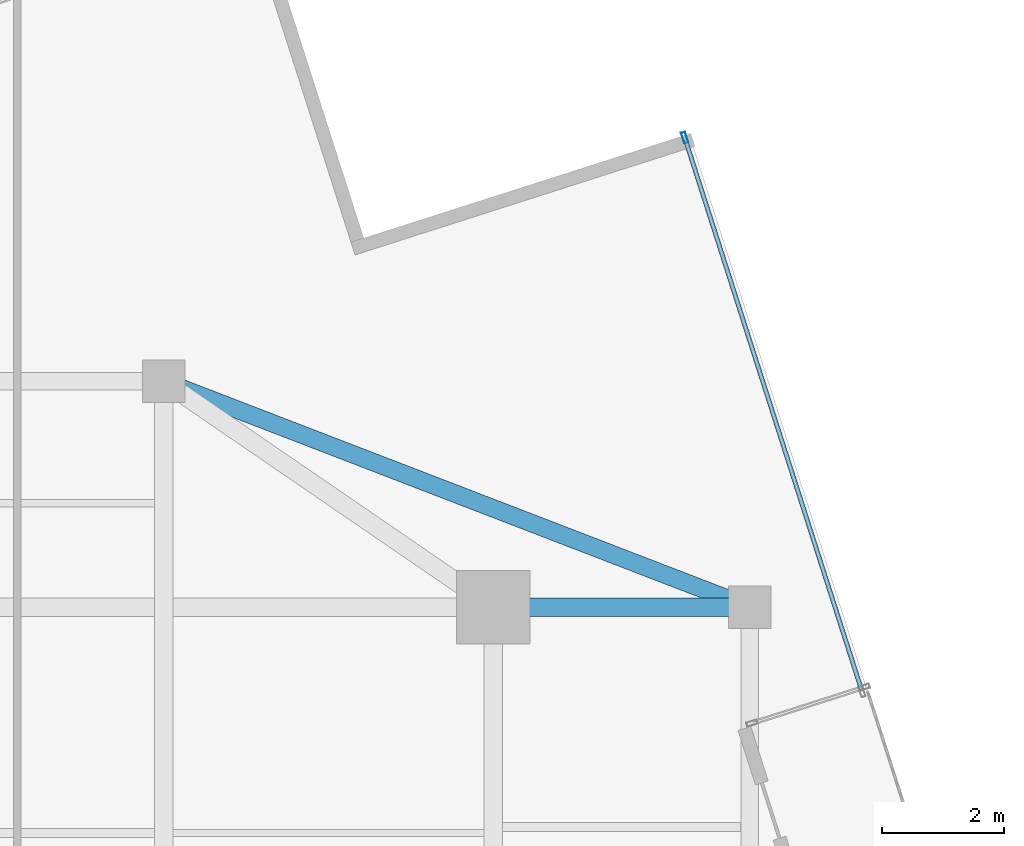
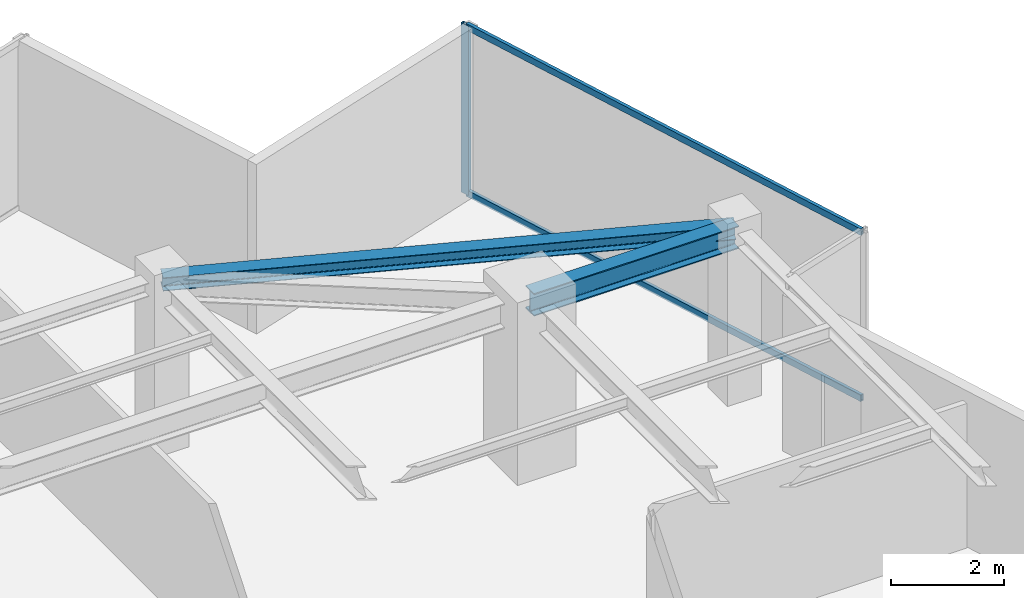
# One storey, part 16 of 21: 3 members, 2 beams, 1 element without a shape of its own.
"""IFC4 building model written with IfcOpenShell, lengths in metres."""

import ifcopenshell
import ifcopenshell.guid

model = None  # the IFC model being written
_history = None  # IfcOwnerHistory: only IFC2X3 demands one
_inside = {}  # id of a spatial element -> (the spatial element, [elements in it])
_under = {}  # id of a project, library or spatial element -> (it, [spatial elements below it])
_declared = {}  # id of a project -> (the project, [libraries it declares])
_typed = {}  # id of a type object -> (the type object, [elements of that type])
_made_of = {}  # id of a material, layer set ... -> (it, [elements and type objects made of it])


def new_model(schema):
    """Start an empty IFC model of exactly this schema.

    Asked for "IFC4X3", IfcOpenShell would pick the latest addendum, in which some entities
    have other attributes; the version numbers below select the first issue.
    IFC2X3 requires an IfcOwnerHistory on every rooted entity: one is made here for all.
    """
    global model, _history
    if schema == "IFC4X3":
        model = ifcopenshell.file(schema_version=(4, 3, 0, 0))
    else:
        model = ifcopenshell.file(schema=schema)
    _inside.clear()
    _under.clear()
    _declared.clear()
    _typed.clear()
    _made_of.clear()
    _history = None
    if model.schema == "IFC2X3":
        org = make("IfcOrganization", Name="unknown")
        user = make(
            "IfcPersonAndOrganization",
            ThePerson=make("IfcPerson", FamilyName="unknown"),
            TheOrganization=org,
        )
        app = make(
            "IfcApplication",
            ApplicationDeveloper=org,
            Version="unknown",
            ApplicationFullName="unknown",
            ApplicationIdentifier="unknown",
        )
        _history = make(
            "IfcOwnerHistory",
            OwningUser=user,
            OwningApplication=app,
            ChangeAction="ADDED",
            CreationDate=0,
        )
    return model


def make(cls, **values):
    """One entity of the class cls with the attributes given. An attribute that is None is left unset."""
    return model.create_entity(
        cls, **{name: value for name, value in values.items() if value is not None}
    )


def rooted(cls, **values):
    """An entity with a GlobalId (a new one), such as an element, a storey or a relation."""
    return make(cls, GlobalId=ifcopenshell.guid.new(), OwnerHistory=_history, **values)


def si_unit(unit_type, name, prefix=None):
    """IfcSIUnit, for example si_unit("LENGTHUNIT", "METRE", prefix="MILLI")."""
    return make("IfcSIUnit", UnitType=unit_type, Prefix=prefix, Name=name)


def assignment(units):
    """IfcUnitAssignment: the units of a project."""
    return None if units is None else make("IfcUnitAssignment", Units=units)


def point(xyz):
    """IfcCartesianPoint."""
    return None if xyz is None else make("IfcCartesianPoint", Coordinates=xyz)


def direction(xyz):
    """IfcDirection."""
    return None if xyz is None else make("IfcDirection", DirectionRatios=xyz)


def frame(location, z_axis=None, x_axis=None):
    """IfcAxis2Placement3D, a coordinate frame: its origin and axes. An axis left out is left unset."""
    return make(
        "IfcAxis2Placement3D",
        Location=point(location),
        Axis=direction(z_axis),
        RefDirection=direction(x_axis),
    )


def frame_2d(location, x_axis=None):
    """IfcAxis2Placement2D, a coordinate frame in the plane: its origin and x axis."""
    return make(
        "IfcAxis2Placement2D", Location=point(location), RefDirection=direction(x_axis)
    )


def origin():
    """The frame at (0, 0, 0) with its axes left unset."""
    return frame((0.0, 0.0, 0.0))


def origin_2d():
    """The frame at (0, 0) in the plane with its x axis left unset."""
    return frame_2d((0.0, 0.0))


def place(relative_to, where):
    """IfcLocalPlacement: puts the frame where relative to a parent placement (None: the world)."""
    return make(
        "IfcLocalPlacement", PlacementRelTo=relative_to, RelativePlacement=where
    )


def context(
    kind, dimensions, precision=None, world=None, true_north=None, identifier=None
):
    """IfcGeometricRepresentationContext, for example the 3D "Model" context."""
    return make(
        "IfcGeometricRepresentationContext",
        ContextIdentifier=identifier,
        ContextType=kind,
        CoordinateSpaceDimension=dimensions,
        Precision=precision,
        WorldCoordinateSystem=world,
        TrueNorth=true_north,
    )


def subcontext(parent, identifier, kind, view, scale=None):
    """IfcGeometricRepresentationSubContext, for example "Body" below "Model"."""
    return make(
        "IfcGeometricRepresentationSubContext",
        ContextIdentifier=identifier,
        ContextType=kind,
        ParentContext=parent,
        TargetScale=scale,
        TargetView=view,
    )


def project(units=None, contexts=None):
    """IfcProject with its units and contexts."""
    return rooted(
        "IfcProject",
        Name="project",
        RepresentationContexts=contexts,
        UnitsInContext=assignment(units),
    )


def spatial(cls, under=None, at=None, **own):
    """A site, building, storey or space (cls), placed at a placement, below another one or the project."""
    s = rooted(cls, ObjectPlacement=at, **own)
    if under is not None:
        _under.setdefault(under.id(), (under, []))[1].append(s)
    return s


def profile(cls, at=None, kind="AREA", **sizes):
    """A parametric profile (cls). Its sizes go by their IFC names, for example OverallWidth=200.0."""
    return make(cls, ProfileType=kind, Position=at, **sizes)


def hollow_rectangle(**sizes):
    """IfcRectangleHollowProfileDef."""
    return profile("IfcRectangleHollowProfileDef", **sizes)


def i_section(**sizes):
    """IfcIShapeProfileDef."""
    return profile("IfcIShapeProfileDef", **sizes)


def extrude(swept, where, along, depth):
    """IfcExtrudedAreaSolid: the profile swept, set in the frame where, extruded along a direction by depth."""
    return make(
        "IfcExtrudedAreaSolid",
        SweptArea=swept,
        Position=where,
        ExtrudedDirection=direction(along),
        Depth=depth,
    )


def shape(context_of_items, identifier, shape_type, items):
    """IfcShapeRepresentation: the items that make up one representation, for example the "Body"."""
    return make(
        "IfcShapeRepresentation",
        ContextOfItems=context_of_items,
        RepresentationIdentifier=identifier,
        RepresentationType=shape_type,
        Items=items,
    )


def source(mapping_origin, context_of_items, identifier, shape_type, items):
    """IfcRepresentationMap: a shape defined once, which mapped items show again and again."""
    return make(
        "IfcRepresentationMap",
        MappingOrigin=mapping_origin,
        MappedRepresentation=shape(context_of_items, identifier, shape_type, items),
    )


def transform(
    local_origin,
    x_axis=None,
    y_axis=None,
    z_axis=None,
    scale=None,
    scale2=None,
    scale3=None,
    uniform=True,
):
    """IfcCartesianTransformationOperator3D, or its non-uniform kind. x_axis, y_axis, z_axis: its Axis1, 2, 3."""
    if uniform:
        return make(
            "IfcCartesianTransformationOperator3D",
            Axis1=direction(x_axis),
            Axis2=direction(y_axis),
            LocalOrigin=point(local_origin),
            Scale=scale,
            Axis3=direction(z_axis),
        )
    return make(
        "IfcCartesianTransformationOperator3DnonUniform",
        Axis1=direction(x_axis),
        Axis2=direction(y_axis),
        LocalOrigin=point(local_origin),
        Scale=scale,
        Axis3=direction(z_axis),
        Scale2=scale2,
        Scale3=scale3,
    )


def mapped(mapping_source, mapping_target):
    """IfcMappedItem: shows the shape of a source again, moved by a transform."""
    return make(
        "IfcMappedItem", MappingSource=mapping_source, MappingTarget=mapping_target
    )


def material(Name=None, Category=None):
    """IfcMaterial."""
    return make("IfcMaterial", Name=Name, Category=Category)


def material_profile(
    of_material, cross_section, Name=None, Category=None, Priority=None
):
    """IfcMaterialProfile: a cross section and its material."""
    return make(
        "IfcMaterialProfile",
        Name=Name,
        Material=of_material,
        Profile=cross_section,
        Priority=Priority,
        Category=Category,
    )


def profile_set(profiles, Name=None, composite=None):
    """IfcMaterialProfileSet."""
    return make(
        "IfcMaterialProfileSet",
        Name=Name,
        MaterialProfiles=profiles,
        CompositeProfile=composite,
    )


def made_of(thing, what):
    """Note that an element or type object is made of a material, layer set ...; save() writes the relation."""
    if what is not None:
        _made_of.setdefault(what.id(), (what, []))[1].append(thing)
    return thing


def type_object(cls, material=None, **own):
    """A type object (cls), such as IfcWallType, which elements share."""
    return made_of(rooted(cls, **own), material)


def type_shapes(of_type, sources):
    """Give a type object the sources (RepresentationMaps) that its elements show as mapped items."""
    of_type.RepresentationMaps = sources


def element(
    cls,
    number,
    at=None,
    inside=None,
    cuts=None,
    type_object=None,
    material=None,
    context=None,
    identifier="Body",
    shape_type=None,
    held_by="IfcProductDefinitionShape",
    body=None,
    shapes=None,
    **own,
):
    """One element of the class cls, such as IfcWall. Its Tag is "e" and its number.

    at: its placement. inside: the storey or other place that contains it. cuts: it is an
    opening in that element (IfcRelVoidsElement). A single representation is given by context,
    identifier, shape_type and body (its items); several are given by shapes. held_by: the class
    of the entity that holds the representations. save() writes the other relations.
    """
    e = rooted(cls, Tag="e%d" % number, ObjectPlacement=at, **own)
    if body is not None:
        shapes = [shape(context, identifier, shape_type, body)]
    if shapes is not None:
        e.Representation = make(held_by, Representations=shapes)
    if inside is not None:
        _inside.setdefault(inside.id(), (inside, []))[1].append(e)
    if cuts is not None:
        rooted(
            "IfcRelVoidsElement", RelatingBuildingElement=cuts, RelatedOpeningElement=e
        )
    if type_object is not None:
        _typed.setdefault(type_object.id(), (type_object, []))[1].append(e)
    return made_of(e, material)


def aggregate(whole, parts):
    """IfcRelAggregates: a whole, such as a stair, and the parts it consists of."""
    return rooted("IfcRelAggregates", RelatingObject=whole, RelatedObjects=parts)


def save(model, path):
    """Write the relations noted so far, then the file.

    IfcRelAggregates (storeys below a building ...), IfcRelContainedInSpatialStructure (elements
    in a storey), IfcRelDefinesByType, IfcRelAssociatesMaterial and IfcRelDeclares: one each for
    every whole, place, type object, material and project.
    """
    for whole, parts in _under.values():
        aggregate(whole, parts)
    for where, things in _inside.values():
        rooted(
            "IfcRelContainedInSpatialStructure",
            RelatedElements=things,
            RelatingStructure=where,
        )
    for kind, things in _typed.values():
        rooted("IfcRelDefinesByType", RelatedObjects=things, RelatingType=kind)
    for what, things in _made_of.values():
        rooted("IfcRelAssociatesMaterial", RelatedObjects=things, RelatingMaterial=what)
    for by, libraries in _declared.values():
        rooted("IfcRelDeclares", RelatingContext=by, RelatedDefinitions=libraries)
    model.write(path)


model = new_model("IFC4")

# Units and contexts
model_context = context("Model", 3, precision=1e-05, world=origin(), true_north=direction((0.0, 1.0)))
body_context = subcontext(model_context, "Body", "Model", "MODEL_VIEW")
ifc_project = project(units=[si_unit("LENGTHUNIT", "METRE"), si_unit("AREAUNIT", "SQUARE_METRE"), si_unit("VOLUMEUNIT", "CUBIC_METRE"), si_unit("PLANEANGLEUNIT", "RADIAN"), si_unit("MASSUNIT", "GRAM", prefix="KILO")], contexts=[model_context])

# Site, building, storey
site_placement = place(None, origin())
site = spatial("IfcSite", under=ifc_project, at=site_placement, CompositionType="ELEMENT")
building_placement = place(site_placement, origin())
building = spatial("IfcBuilding", under=site, at=building_placement, Name="Krantzveldt Concourse Tower", CompositionType="ELEMENT")
storey_placement = place(building_placement, frame((0.0, 0.0, 343.5)))
storey = spatial("IfcBuildingStorey", under=building, at=storey_placement, Name="L84", CompositionType="ELEMENT", Elevation=343.5)

# Beams
ifc_material_1 = material(Name="Steel S355JR", Category="steel")
ifc_material_profile_1 = material_profile(ifc_material_1, i_section(OverallWidth=0.300048828125, OverallDepth=0.489990234375, WebThickness=0.011962890625, FlangeThickness=0.02294921875, FilletRadius=0.027099609375, at=origin_2d()), Name="Steel S355JR", Category="steel")
ifc_profile_set_1 = profile_set([ifc_material_profile_1], Name="Steel S355JR - HEA 500")
beam_type_1 = type_object("IfcBeamType", Name="BM-B-HEA500", PredefinedType="BEAM", material=ifc_profile_set_1)
shared_shape_1 = source(origin(), body_context, "Body", "SweptSolid", [
    extrude(i_section(OverallWidth=0.300048828125, OverallDepth=0.489990234375, WebThickness=0.011962890625, FlangeThickness=0.02294921875, FilletRadius=0.027099609375, at=origin_2d()), origin(), (0.0, 0.0, 1.0), 4.199951171875),
])
type_shapes(beam_type_1, [shared_shape_1])
beam_1_placement = place(storey_placement, frame((46.800048828125, 37.5, 3.425048828125), z_axis=(1.0, 0.0, 0.0), x_axis=(0.0, 1.0, 0.0)))
element("IfcBeam", 1, at=beam_1_placement, inside=storey, type_object=beam_type_1, Name="L84 Tower Girder BR-RR3", PredefinedType="BEAM", context=body_context, shape_type="MappedRepresentation", body=[
    mapped(shared_shape_1, transform((0.0, 0.0, 0.0), x_axis=(1.0, 0.0, 0.0), y_axis=(0.0, 1.0, 0.0), z_axis=(0.0, 0.0, 1.0), scale=1.0)),
])
ifc_material_profile_2 = material_profile(ifc_material_1, i_section(OverallWidth=0.2900390625, OverallDepth=0.2900390625, WebThickness=0.008544921875, FlangeThickness=0.013916015625, FilletRadius=0.027099609375, at=origin_2d()), Name="Steel S355JR", Category="steel")
ifc_profile_set_2 = profile_set([ifc_material_profile_2], Name="Steel S355JR - HEA 300")
beam_type_2 = type_object("IfcBeamType", Name="BM-SP-HEA300", PredefinedType="SPANDREL", material=ifc_profile_set_2)
shared_shape_2 = source(origin(), body_context, "Body", "SweptSolid", [
    extrude(i_section(OverallWidth=0.2900390625, OverallDepth=0.2900390625, WebThickness=0.008544921875, FlangeThickness=0.013916015625, FilletRadius=0.027099609375, at=origin_2d()), origin(), (0.0, 0.0, 1.0), 10.288330078125),
])
type_shapes(beam_type_2, [shared_shape_2])
beam_2_placement = place(storey_placement, frame((41.39990234375, 41.199951171875, 3.52490234375), z_axis=(0.933097690408, -0.359622997257, 0.0), x_axis=(0.359622997257, 0.933097690408, 0.0)))
element("IfcBeam", 2, at=beam_2_placement, inside=storey, type_object=beam_type_2, Name="L84 Tower Girder SP-R05", PredefinedType="SPANDREL", context=body_context, shape_type="MappedRepresentation", body=[
    mapped(shared_shape_2, transform((0.0, 0.0, 0.0), x_axis=(1.0, 0.0, 0.0), y_axis=(0.0, 1.0, 0.0), z_axis=(0.0, 0.0, 1.0), scale=1.0)),
])

# Curtain wall, members
ifc_material_2 = material(Name="Anodised aluminium 6063-T6", Category="aluminium")
curtain_wall_type = type_object("IfcCurtainWallType", Name="CW4", PredefinedType="USERDEFINED", material=ifc_material_2)
curtain_wall_placement = place(storey_placement, origin())
curtain_wall = element("IfcCurtainWall", 3, at=curtain_wall_placement, inside=storey, type_object=curtain_wall_type, Name="CW-L84-F14", ObjectType="UNITISED CURTAIN WALL", PredefinedType="USERDEFINED")
ifc_material_profile_3 = material_profile(ifc_material_2, hollow_rectangle(XDim=0.070068359375, YDim=0.179931640625, WallThickness=0.0048828125, at=origin_2d()), Name="Anodised aluminium 6063-T6", Category="aluminium")
ifc_profile_set_3 = profile_set([ifc_material_profile_3], Name="Anodised aluminium 6063-T6 - ALU-MULL 180x70x5")
member_type_1 = type_object("IfcMemberType", Name="CW-MUL-180", PredefinedType="MULLION", material=ifc_profile_set_3)
shared_shape_3 = source(origin(), body_context, "Body", "SweptSolid", [
    extrude(hollow_rectangle(XDim=0.070068359375, YDim=0.179931640625, WallThickness=0.0048828125, at=origin_2d()), origin(), (0.0, 0.0, 1.0), 3.669921875),
])
type_shapes(member_type_1, [shared_shape_3])
member_1_placement = place(storey_placement, frame((49.935302734375, 45.19384765625, 0.0), z_axis=(0.0, 0.0, 1.0), x_axis=(-0.952395720224, -0.304864547135, 0.0)))
member_1 = element("IfcMember", 4, at=member_1_placement, type_object=member_type_1, Name="CW-Z56 mullion 2", PredefinedType="MULLION", context=body_context, shape_type="MappedRepresentation", body=[
    mapped(shared_shape_3, transform((0.0, 0.0, 0.0), x_axis=(1.0, 0.0, 0.0), y_axis=(0.0, 1.0, 0.0), z_axis=(0.0, 0.0, 1.0), scale=1.0)),
])
ifc_material_profile_4 = material_profile(ifc_material_2, hollow_rectangle(XDim=0.070068359375, YDim=0.139892578125, WallThickness=0.0048828125, at=origin_2d()), Name="Anodised aluminium 6063-T6", Category="aluminium")
ifc_profile_set_4 = profile_set([ifc_material_profile_4], Name="Anodised aluminium 6063-T6 - ALU-TRAN 140x70x5")
member_type_2 = type_object("IfcMemberType", Name="CW-TRN-150", PredefinedType="USERDEFINED", material=ifc_profile_set_4)
shared_shape_4 = source(origin(), body_context, "Body", "SweptSolid", [
    extrude(hollow_rectangle(XDim=0.070068359375, YDim=0.139892578125, WallThickness=0.0048828125, at=origin_2d()), origin(), (0.0, 0.0, 1.0), 9.4599609375),
])
type_shapes(member_type_2, [shared_shape_4])
member_2_placement = place(storey_placement, frame((52.830078125, 36.15087890625, 0.034912109375), z_axis=(-0.304870305116, 0.952393877059, 0.0), x_axis=(-0.952393877059, -0.304870305116, 0.0)))
member_2 = element("IfcMember", 5, at=member_2_placement, type_object=member_type_2, Name="CW-Z56 transom 1.1", ObjectType="TRANSOM", PredefinedType="USERDEFINED", context=body_context, shape_type="MappedRepresentation", body=[
    mapped(shared_shape_4, transform((0.0, 0.0, 0.0), x_axis=(1.0, 0.0, 0.0), y_axis=(0.0, 1.0, 0.0), z_axis=(0.0, 0.0, 1.0), scale=1.0)),
])
member_3_placement = place(storey_placement, frame((52.830078125, 36.15087890625, 3.635009765625), z_axis=(-0.304870305116, 0.952393877059, 0.0), x_axis=(-0.952393877059, -0.304870305116, 0.0)))
member_3 = element("IfcMember", 6, at=member_3_placement, type_object=member_type_2, Name="CW-Z56 transom 1.2", ObjectType="TRANSOM", PredefinedType="USERDEFINED", context=body_context, shape_type="MappedRepresentation", body=[
    mapped(shared_shape_4, transform((0.0, 0.0, 0.0), x_axis=(1.0, 0.0, 0.0), y_axis=(0.0, 1.0, 0.0), z_axis=(0.0, 0.0, 1.0), scale=1.0)),
])
aggregate(curtain_wall, [member_1, member_2, member_3])

save(model, "model.ifc")
